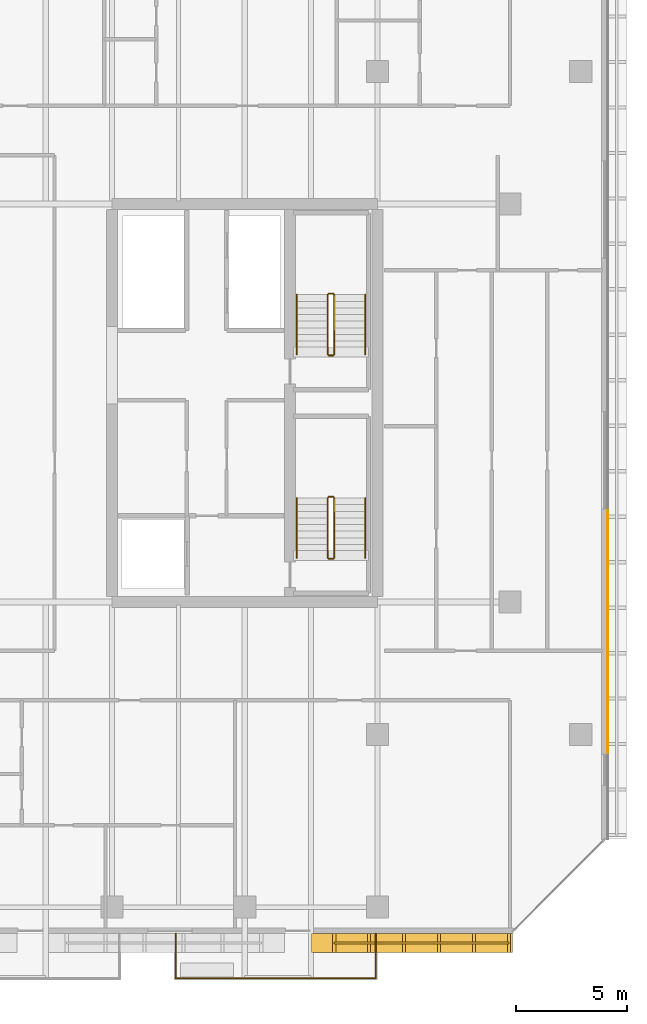
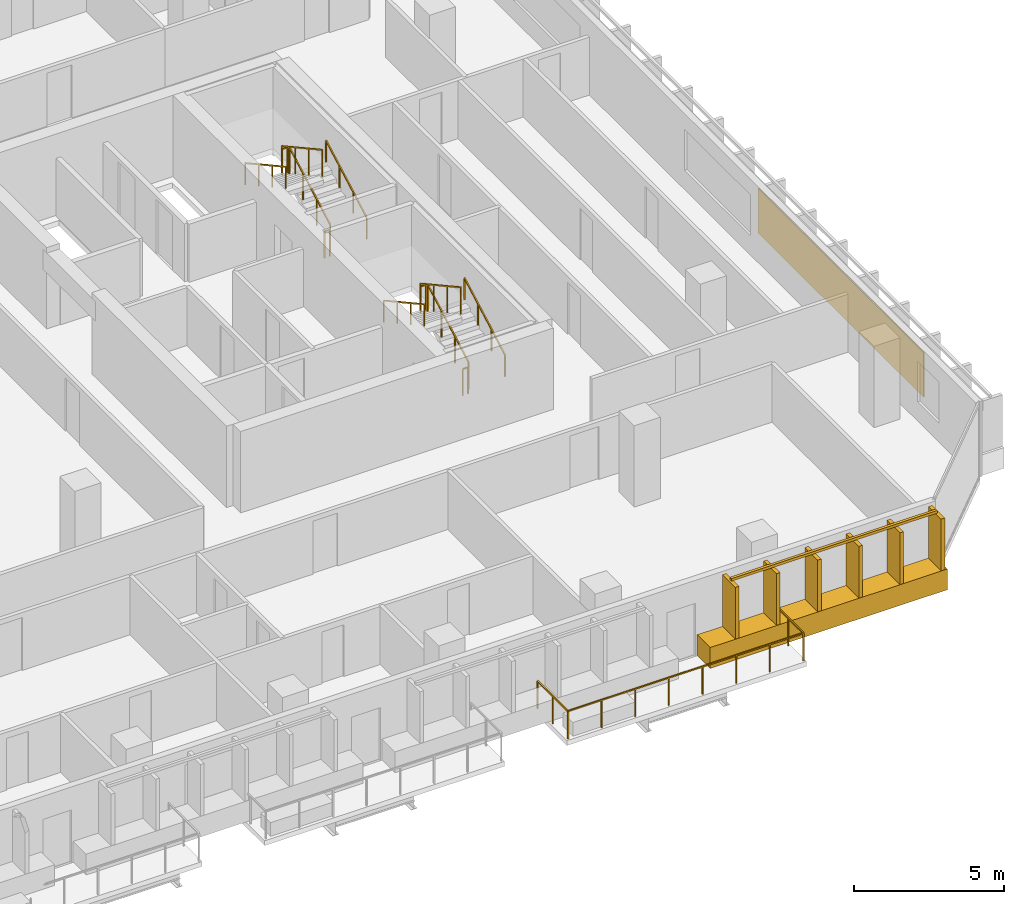
# One storey, part 34 of 35: 14 railings, 2 coverings.
"""IFC4 building model written with IfcOpenShell, lengths in metres."""

from ifc_helpers import new_model, si_unit, direction, frame, origin, origin_2d, place, context, subcontext, project, spatial, rectangle, extrude, material, layer, layer_set, type_object, element, save


model = new_model("IFC4")

# Units and contexts
model_context = context("Model", 3, precision=1e-05, world=origin(), true_north=direction((0.0, 1.0)))
body_context = subcontext(model_context, "Body", "Model", "MODEL_VIEW")
ifc_project = project(units=[si_unit("LENGTHUNIT", "METRE"), si_unit("AREAUNIT", "SQUARE_METRE"), si_unit("VOLUMEUNIT", "CUBIC_METRE"), si_unit("PLANEANGLEUNIT", "RADIAN"), si_unit("MASSUNIT", "GRAM", prefix="KILO")], contexts=[model_context])

# Site, building, storey
site_placement = place(None, origin())
site = spatial("IfcSite", under=ifc_project, at=site_placement, CompositionType="ELEMENT")
building_placement = place(site_placement, origin())
building = spatial("IfcBuilding", under=site, at=building_placement, Name="Tanjung Sevakor Pilgrim Tower", CompositionType="ELEMENT")
storey_placement = place(building_placement, frame((0.0, 0.0, 92.070068359375)))
storey = spatial("IfcBuildingStorey", under=building, at=storey_placement, Name="L25", CompositionType="ELEMENT", Elevation=92.070068359375)

# Coverings
ifc_material_1 = material(Name="Reconstructed Limestone Cladding", Category="masonry")
ifc_layer = layer(ifc_material_1, 0.044921875)
ifc_layer_set = layer_set([ifc_layer], Name="COV-CLAD-LIMESTONE")
covering_type = type_object("IfcCoveringType", Name="COV-CLAD-LIMESTONE", PredefinedType="CLADDING", material=ifc_layer_set)
covering_1_placement = place(storey_placement, frame((91.55908203125, 9.169921875, 0.009765625), z_axis=(0.0, 0.0, 1.0), x_axis=(1.0, 0.0, 0.0)))
element("IfcCovering", 1, at=covering_1_placement, inside=storey, type_object=covering_type, Name="L25 Warm Limestone Sill Spandrel EW-L25-MAIN-5-4", PredefinedType="CLADDING", context=body_context, shape_type="SweptSolid", body=[
    extrude(rectangle(XDim=9.09814453125, YDim=0.860107421875, at=origin_2d()), origin(), (0.0, 0.0, 1.0), 0.840087890625),
])
covering_2_placement = place(storey_placement, frame((100.422607421875, 23.258056640625, 0.849853515625), z_axis=(0.0, 0.0, 1.0), x_axis=(0.0, 1.0, 0.0)))
element("IfcCovering", 2, at=covering_2_placement, inside=storey, type_object=covering_type, Name="L25 Warm Limestone Pier Panel EW-L25-MAIN-7-1", PredefinedType="CLADDING", context=body_context, shape_type="SweptSolid", body=[
    extrude(rectangle(XDim=11.004150390625, YDim=0.044921875, at=origin_2d()), origin(), (0.0, 0.0, 1.0), 1.81005859375),
])

# Railings
ifc_material_2 = material(Name="Laminated Glass and Aluminium", Category="aluminium")
railing_type_1 = type_object("IfcRailingType", Name="RL-BAL-BALUST", PredefinedType="BALUSTRADE", material=ifc_material_2)
railing_1_placement = place(storey_placement, frame((80.8798828125, 9.60009765625, 0.0)))
element("IfcRailing", 3, at=railing_1_placement, inside=storey, type_object=railing_type_1, Name="L25 Loggia Balustrade MAIN-S4", PredefinedType="BALUSTRADE", context=body_context, shape_type="SweptSolid", body=[
    extrude(rectangle(XDim=0.0479, YDim=0.0479), frame((0.0, 0.0, 1.1259765625), z_axis=(0.0, -1.0, 0.0), x_axis=(1.0, 0.0, 0.0)), (0.0, 0.0, 1.0), 2.02001953125),
    extrude(rectangle(XDim=0.0479, YDim=0.0479), frame((0.0, -2.02001953125, 1.1259765625), z_axis=(1.0, 0.0, 0.0), x_axis=(0.0, 1.0, 0.0)), (0.0, 0.0, 1.0), 9.0400390625),
    extrude(rectangle(XDim=0.0479, YDim=0.0479), frame((9.0400390625, -2.02001953125, 1.1259765625), z_axis=(0.0, 1.0, 0.0), x_axis=(-1.0, 0.0, 0.0)), (0.0, 0.0, 1.0), 2.02001953125),
    extrude(rectangle(XDim=0.042, YDim=0.042), origin(), (0.0, 0.0, 1.0), 1.101806640625),
    extrude(rectangle(XDim=0.042, YDim=0.042), frame((0.0, -1.010009765625, 0.0)), (0.0, 0.0, 1.0), 1.101806640625),
    extrude(rectangle(XDim=0.042, YDim=0.042), frame((0.0, -2.02001953125, 0.0)), (0.0, 0.0, 1.0), 1.101806640625),
    extrude(rectangle(XDim=0.042, YDim=0.042), frame((1.29150390625, -2.02001953125, 0.0)), (0.0, 0.0, 1.0), 1.101806640625),
    extrude(rectangle(XDim=0.042, YDim=0.042), frame((2.582763671875, -2.02001953125, 0.0)), (0.0, 0.0, 1.0), 1.101806640625),
    extrude(rectangle(XDim=0.042, YDim=0.042), frame((3.874267578125, -2.02001953125, 0.0)), (0.0, 0.0, 1.0), 1.101806640625),
    extrude(rectangle(XDim=0.042, YDim=0.042), frame((5.165771484375, -2.02001953125, 0.0)), (0.0, 0.0, 1.0), 1.101806640625),
    extrude(rectangle(XDim=0.042, YDim=0.042), frame((6.457275390625, -2.02001953125, 0.0)), (0.0, 0.0, 1.0), 1.101806640625),
    extrude(rectangle(XDim=0.042, YDim=0.042), frame((7.74853515625, -2.02001953125, 0.0)), (0.0, 0.0, 1.0), 1.101806640625),
    extrude(rectangle(XDim=0.042, YDim=0.042), frame((9.0400390625, -2.02001953125, 0.0)), (0.0, 0.0, 1.0), 1.101806640625),
    extrude(rectangle(XDim=0.042, YDim=0.042), frame((9.0400390625, -1.010009765625, 0.0)), (0.0, 0.0, 1.0), 1.101806640625),
    extrude(rectangle(XDim=0.042, YDim=0.042), frame((9.0400390625, 0.0, 0.0)), (0.0, 0.0, 1.0), 1.101806640625),
])
ifc_material_3 = material(Name="Anodised Bronze Aluminium 6063-T6", Category="aluminium")
railing_type_2 = type_object("IfcRailingType", Name="RL-FIN-SCREEN", PredefinedType="BALUSTRADE", material=ifc_material_3)
railing_2_placement = place(storey_placement, frame((88.050048828125, 9.175048828125, 0.83984375)))
element("IfcRailing", 4, at=railing_2_placement, inside=storey, type_object=railing_type_2, Name="L25 Vertical Bronze-Gold Solar Fin Screen FNSCR-EW-L25-MAIN-5-4", PredefinedType="BALUSTRADE", context=body_context, shape_type="SweptSolid", body=[
    extrude(rectangle(XDim=0.105, YDim=0.105), frame((0.0, 0.0, 2.157470703125), z_axis=(1.0, 0.0, 0.0), x_axis=(0.0, 1.0, 0.0)), (0.0, 0.0, 1.0), 7.898193359375),
    extrude(rectangle(XDim=0.14, YDim=0.85), origin(), (0.0, 0.0, 1.0), 2.10498046875),
    extrude(rectangle(XDim=0.14, YDim=0.85), frame((1.57958984375, 0.0, 0.0)), (0.0, 0.0, 1.0), 2.10498046875),
    extrude(rectangle(XDim=0.14, YDim=0.85), frame((3.1591796875, 0.0, 0.0)), (0.0, 0.0, 1.0), 2.10498046875),
    extrude(rectangle(XDim=0.14, YDim=0.85), frame((4.739013671875, 0.0, 0.0)), (0.0, 0.0, 1.0), 2.10498046875),
    extrude(rectangle(XDim=0.14, YDim=0.85), frame((6.318603515625, 0.0, 0.0)), (0.0, 0.0, 1.0), 2.10498046875),
    extrude(rectangle(XDim=0.14, YDim=0.85), frame((7.898193359375, 0.0, 0.0)), (0.0, 0.0, 1.0), 2.10498046875),
])
ifc_material_4 = material(Name="Steel S355J2", Category="steel")
railing_type_3 = type_object("IfcRailingType", Name="RL-STAIR-GUARD", PredefinedType="GUARDRAIL", material=ifc_material_4)
railing_3_placement = place(storey_placement, frame((88.050048828125, 26.60009765625, 0.1650390625)))
element("IfcRailing", 5, at=railing_3_placement, inside=storey, type_object=railing_type_3, Name="L25 TS-E1 stair guard 1", PredefinedType="GUARDRAIL", context=body_context, shape_type="SweptSolid", body=[
    extrude(rectangle(XDim=0.0479, YDim=0.0479), frame((0.0, 0.0, 1.076171875), z_axis=(0.0, 0.876230963923, 0.481891375584), x_axis=(-1.0, 0.0, 0.0)), (0.0, 0.0, 1.0), 3.081298828125),
    extrude(rectangle(XDim=0.042, YDim=0.042), origin(), (0.0, 0.0, 1.0), 1.052001953125),
    extrude(rectangle(XDim=0.042, YDim=0.042), frame((0.0, 0.89990234375, 0.494873046875)), (0.0, 0.0, 1.0), 1.052001953125),
    extrude(rectangle(XDim=0.042, YDim=0.042), frame((0.0, 1.800048828125, 0.989990234375)), (0.0, 0.0, 1.0), 1.052001953125),
    extrude(rectangle(XDim=0.042, YDim=0.042), frame((0.0, 2.699951171875, 1.48486328125)), (0.0, 0.0, 1.0), 1.052001953125),
])
railing_4_placement = place(storey_placement, frame((88.0, 29.35009765625, 1.64990234375)))
element("IfcRailing", 6, at=railing_4_placement, inside=storey, type_object=railing_type_3, Name="L25 TS-E1 stair guard 2", PredefinedType="GUARDRAIL", context=body_context, shape_type="SweptSolid", body=[
    extrude(rectangle(XDim=0.0479, YDim=0.0479), frame((0.0, 0.0, 1.076171875), z_axis=(-1.0, 0.0, 0.0), x_axis=(0.0, -1.0, 0.0)), (0.0, 0.0, 1.0), 0.199951171875),
    extrude(rectangle(XDim=0.042, YDim=0.042), origin(), (0.0, 0.0, 1.0), 1.052001953125),
    extrude(rectangle(XDim=0.042, YDim=0.042), frame((-0.199951171875, 0.0, 0.0)), (0.0, 0.0, 1.0), 1.052001953125),
])
railing_5_placement = place(storey_placement, frame((87.75, 29.300048828125, 1.81494140625)))
element("IfcRailing", 7, at=railing_5_placement, inside=storey, type_object=railing_type_3, Name="L25 TS-E1 stair guard 3", PredefinedType="GUARDRAIL", context=body_context, shape_type="SweptSolid", body=[
    extrude(rectangle(XDim=0.0479, YDim=0.0479), frame((0.0, 0.0, 1.076171875), z_axis=(0.0, -0.876197507361, 0.481952205197), x_axis=(1.0, 0.0, 0.0)), (0.0, 0.0, 1.0), 3.08154296875),
    extrude(rectangle(XDim=0.042, YDim=0.042), origin(), (0.0, 0.0, 1.0), 1.052001953125),
    extrude(rectangle(XDim=0.042, YDim=0.042), frame((0.0, -0.89990234375, 0.4951171875)), (0.0, 0.0, 1.0), 1.052001953125),
    extrude(rectangle(XDim=0.042, YDim=0.042), frame((0.0, -1.800048828125, 0.989990234375)), (0.0, 0.0, 1.0), 1.052001953125),
    extrude(rectangle(XDim=0.042, YDim=0.042), frame((0.0, -2.699951171875, 1.485107421875)), (0.0, 0.0, 1.0), 1.052001953125),
])
railing_6_placement = place(storey_placement, frame((88.0, 26.550048828125, 0.0)))
element("IfcRailing", 8, at=railing_6_placement, inside=storey, type_object=railing_type_3, Name="L25 TS-E1 stair guard 4", PredefinedType="GUARDRAIL", context=body_context, shape_type="SweptSolid", body=[
    extrude(rectangle(XDim=0.0479, YDim=0.0479), frame((0.0, 0.0, 1.076171875), z_axis=(-1.0, 0.0, 0.0), x_axis=(0.0, -1.0, 0.0)), (0.0, 0.0, 1.0), 0.199951171875),
    extrude(rectangle(XDim=0.042, YDim=0.042), origin(), (0.0, 0.0, 1.0), 1.052001953125),
    extrude(rectangle(XDim=0.042, YDim=0.042), frame((-0.199951171875, 0.0, 0.0)), (0.0, 0.0, 1.0), 1.052001953125),
])
railing_7_placement = place(storey_placement, frame((88.050048828125, 35.800048828125, 0.1650390625)))
element("IfcRailing", 9, at=railing_7_placement, inside=storey, type_object=railing_type_3, Name="L25 TS-E2 stair guard 1", PredefinedType="GUARDRAIL", context=body_context, shape_type="SweptSolid", body=[
    extrude(rectangle(XDim=0.0479, YDim=0.0479), frame((0.0, 0.0, 1.076171875), z_axis=(0.0, 0.876230963923, 0.481891375584), x_axis=(-1.0, 0.0, 0.0)), (0.0, 0.0, 1.0), 3.081298828125),
    extrude(rectangle(XDim=0.042, YDim=0.042), origin(), (0.0, 0.0, 1.0), 1.052001953125),
    extrude(rectangle(XDim=0.042, YDim=0.042), frame((0.0, 0.89990234375, 0.494873046875)), (0.0, 0.0, 1.0), 1.052001953125),
    extrude(rectangle(XDim=0.042, YDim=0.042), frame((0.0, 1.800048828125, 0.989990234375)), (0.0, 0.0, 1.0), 1.052001953125),
    extrude(rectangle(XDim=0.042, YDim=0.042), frame((0.0, 2.699951171875, 1.48486328125)), (0.0, 0.0, 1.0), 1.052001953125),
])
railing_8_placement = place(storey_placement, frame((88.0, 38.550048828125, 1.64990234375)))
element("IfcRailing", 10, at=railing_8_placement, inside=storey, type_object=railing_type_3, Name="L25 TS-E2 stair guard 2", PredefinedType="GUARDRAIL", context=body_context, shape_type="SweptSolid", body=[
    extrude(rectangle(XDim=0.0479, YDim=0.0479), frame((0.0, 0.0, 1.076171875), z_axis=(-1.0, 0.0, 0.0), x_axis=(0.0, -1.0, 0.0)), (0.0, 0.0, 1.0), 0.199951171875),
    extrude(rectangle(XDim=0.042, YDim=0.042), origin(), (0.0, 0.0, 1.0), 1.052001953125),
    extrude(rectangle(XDim=0.042, YDim=0.042), frame((-0.199951171875, 0.0, 0.0)), (0.0, 0.0, 1.0), 1.052001953125),
])
railing_9_placement = place(storey_placement, frame((87.75, 38.5, 1.81494140625)))
element("IfcRailing", 11, at=railing_9_placement, inside=storey, type_object=railing_type_3, Name="L25 TS-E2 stair guard 3", PredefinedType="GUARDRAIL", context=body_context, shape_type="SweptSolid", body=[
    extrude(rectangle(XDim=0.0479, YDim=0.0479), frame((0.0, 0.0, 1.076171875), z_axis=(0.0, -0.876197507361, 0.481952205197), x_axis=(1.0, 0.0, 0.0)), (0.0, 0.0, 1.0), 3.08154296875),
    extrude(rectangle(XDim=0.042, YDim=0.042), origin(), (0.0, 0.0, 1.0), 1.052001953125),
    extrude(rectangle(XDim=0.042, YDim=0.042), frame((0.0, -0.89990234375, 0.4951171875)), (0.0, 0.0, 1.0), 1.052001953125),
    extrude(rectangle(XDim=0.042, YDim=0.042), frame((0.0, -1.800048828125, 0.989990234375)), (0.0, 0.0, 1.0), 1.052001953125),
    extrude(rectangle(XDim=0.042, YDim=0.042), frame((0.0, -2.699951171875, 1.485107421875)), (0.0, 0.0, 1.0), 1.052001953125),
])
railing_10_placement = place(storey_placement, frame((88.0, 35.75, 0.0)))
element("IfcRailing", 12, at=railing_10_placement, inside=storey, type_object=railing_type_3, Name="L25 TS-E2 stair guard 4", PredefinedType="GUARDRAIL", context=body_context, shape_type="SweptSolid", body=[
    extrude(rectangle(XDim=0.0479, YDim=0.0479), frame((0.0, 0.0, 1.076171875), z_axis=(-1.0, 0.0, 0.0), x_axis=(0.0, -1.0, 0.0)), (0.0, 0.0, 1.0), 0.199951171875),
    extrude(rectangle(XDim=0.042, YDim=0.042), origin(), (0.0, 0.0, 1.0), 1.052001953125),
    extrude(rectangle(XDim=0.042, YDim=0.042), frame((-0.199951171875, 0.0, 0.0)), (0.0, 0.0, 1.0), 1.052001953125),
])
ifc_material_5 = material(Name="Steel S355J2", Category="steel")
railing_type_4 = type_object("IfcRailingType", Name="RL-STAIR-HAND", PredefinedType="HANDRAIL", material=ifc_material_5)
railing_11_placement = place(storey_placement, frame((89.449951171875, 26.60009765625, 0.1650390625)))
element("IfcRailing", 13, at=railing_11_placement, inside=storey, type_object=railing_type_4, Name="L25 TS-E1 stair handrail 1", PredefinedType="HANDRAIL", context=body_context, shape_type="SweptSolid", body=[
    extrude(rectangle(XDim=0.0479, YDim=0.0479), frame((0.0, 0.0, 0.8759765625), z_axis=(0.0, 0.876230963923, 0.481891375584), x_axis=(-1.0, 0.0, 0.0)), (0.0, 0.0, 1.0), 3.081298828125),
    extrude(rectangle(XDim=0.042, YDim=0.042), origin(), (0.0, 0.0, 1.0), 0.851806640625),
    extrude(rectangle(XDim=0.042, YDim=0.042), frame((0.0, 0.89990234375, 0.494873046875)), (0.0, 0.0, 1.0), 0.851806640625),
    extrude(rectangle(XDim=0.042, YDim=0.042), frame((0.0, 1.800048828125, 0.989990234375)), (0.0, 0.0, 1.0), 0.851806640625),
    extrude(rectangle(XDim=0.042, YDim=0.042), frame((0.0, 2.699951171875, 1.48486328125)), (0.0, 0.0, 1.0), 0.851806640625),
])
railing_12_placement = place(storey_placement, frame((86.35009765625, 29.300048828125, 1.81494140625)))
element("IfcRailing", 14, at=railing_12_placement, inside=storey, type_object=railing_type_4, Name="L25 TS-E1 stair handrail 2", PredefinedType="HANDRAIL", context=body_context, shape_type="SweptSolid", body=[
    extrude(rectangle(XDim=0.0479, YDim=0.0479), frame((0.0, 0.0, 0.8759765625), z_axis=(0.0, -0.876197507361, 0.481952205197), x_axis=(1.0, 0.0, 0.0)), (0.0, 0.0, 1.0), 3.08154296875),
    extrude(rectangle(XDim=0.042, YDim=0.042), origin(), (0.0, 0.0, 1.0), 0.851806640625),
    extrude(rectangle(XDim=0.042, YDim=0.042), frame((0.0, -0.89990234375, 0.4951171875)), (0.0, 0.0, 1.0), 0.851806640625),
    extrude(rectangle(XDim=0.042, YDim=0.042), frame((0.0, -1.800048828125, 0.989990234375)), (0.0, 0.0, 1.0), 0.851806640625),
    extrude(rectangle(XDim=0.042, YDim=0.042), frame((0.0, -2.699951171875, 1.485107421875)), (0.0, 0.0, 1.0), 0.851806640625),
])
railing_13_placement = place(storey_placement, frame((89.449951171875, 35.800048828125, 0.1650390625)))
element("IfcRailing", 15, at=railing_13_placement, inside=storey, type_object=railing_type_4, Name="L25 TS-E2 stair handrail 1", PredefinedType="HANDRAIL", context=body_context, shape_type="SweptSolid", body=[
    extrude(rectangle(XDim=0.0479, YDim=0.0479), frame((0.0, 0.0, 0.8759765625), z_axis=(0.0, 0.876230963923, 0.481891375584), x_axis=(-1.0, 0.0, 0.0)), (0.0, 0.0, 1.0), 3.081298828125),
    extrude(rectangle(XDim=0.042, YDim=0.042), origin(), (0.0, 0.0, 1.0), 0.851806640625),
    extrude(rectangle(XDim=0.042, YDim=0.042), frame((0.0, 0.89990234375, 0.494873046875)), (0.0, 0.0, 1.0), 0.851806640625),
    extrude(rectangle(XDim=0.042, YDim=0.042), frame((0.0, 1.800048828125, 0.989990234375)), (0.0, 0.0, 1.0), 0.851806640625),
    extrude(rectangle(XDim=0.042, YDim=0.042), frame((0.0, 2.699951171875, 1.48486328125)), (0.0, 0.0, 1.0), 0.851806640625),
])
railing_14_placement = place(storey_placement, frame((86.35009765625, 38.5, 1.81494140625)))
element("IfcRailing", 16, at=railing_14_placement, inside=storey, type_object=railing_type_4, Name="L25 TS-E2 stair handrail 2", PredefinedType="HANDRAIL", context=body_context, shape_type="SweptSolid", body=[
    extrude(rectangle(XDim=0.0479, YDim=0.0479), frame((0.0, 0.0, 0.8759765625), z_axis=(0.0, -0.876197507361, 0.481952205197), x_axis=(1.0, 0.0, 0.0)), (0.0, 0.0, 1.0), 3.08154296875),
    extrude(rectangle(XDim=0.042, YDim=0.042), origin(), (0.0, 0.0, 1.0), 0.851806640625),
    extrude(rectangle(XDim=0.042, YDim=0.042), frame((0.0, -0.89990234375, 0.4951171875)), (0.0, 0.0, 1.0), 0.851806640625),
    extrude(rectangle(XDim=0.042, YDim=0.042), frame((0.0, -1.800048828125, 0.989990234375)), (0.0, 0.0, 1.0), 0.851806640625),
    extrude(rectangle(XDim=0.042, YDim=0.042), frame((0.0, -2.699951171875, 1.485107421875)), (0.0, 0.0, 1.0), 0.851806640625),
])

save(model, "model.ifc")
